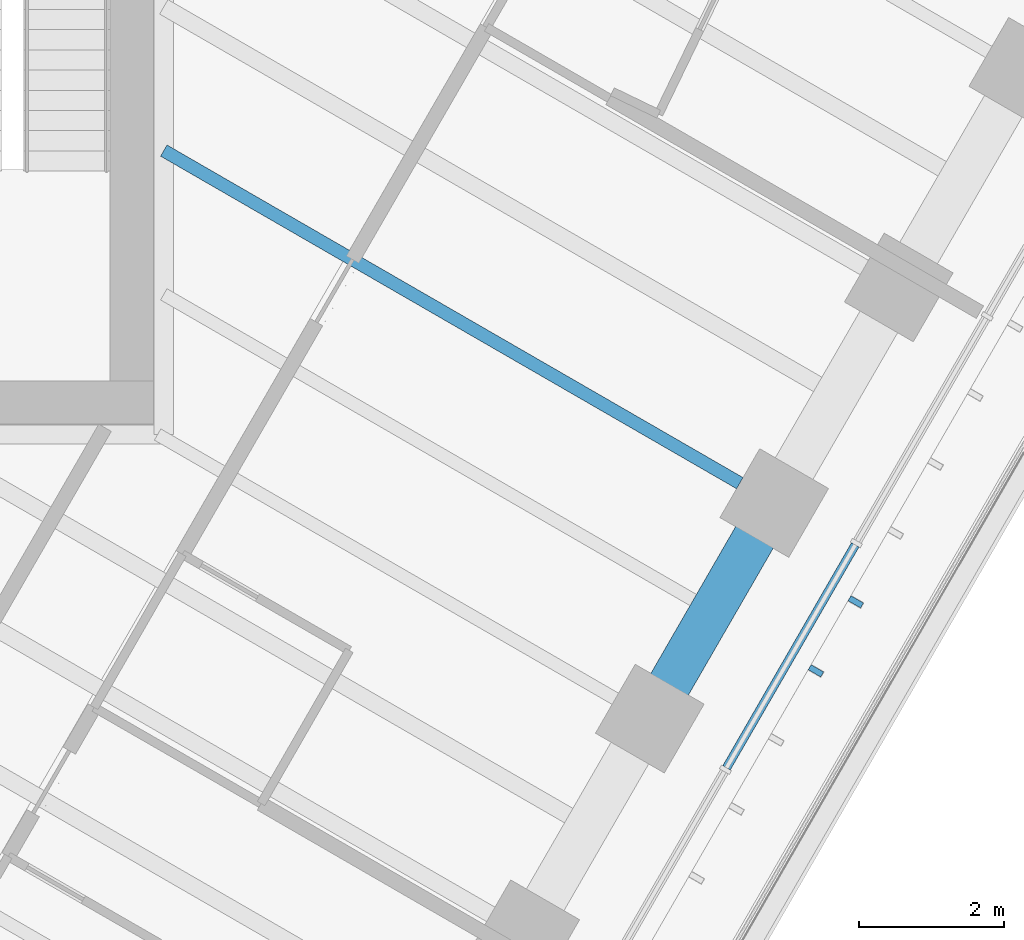
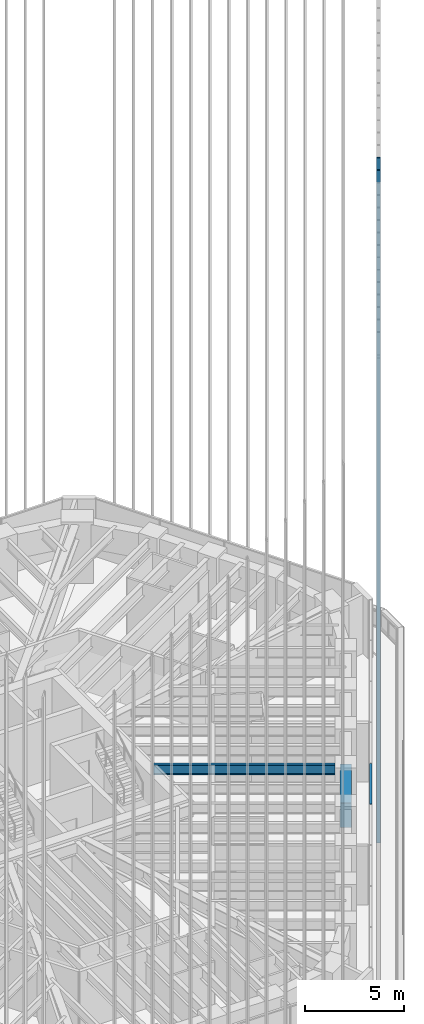
# One storey, part 43 of 127: 3 members, 2 beams, 1 element without a shape of its own.
"""IFC4 building model written with IfcOpenShell, lengths in metres."""

from ifc_helpers import new_model, si_unit, direction, frame, origin, origin_2d, place, context, subcontext, project, spatial, rectangle, i_section, extrude, material, material_profile, profile_set, type_object, element, aggregate, save


model = new_model("IFC4")

# Units and contexts
model_context = context("Model", 3, precision=1e-05, world=origin(), true_north=direction((0.0, 1.0)))
body_context = subcontext(model_context, "Body", "Model", "MODEL_VIEW")
ifc_project = project(units=[si_unit("LENGTHUNIT", "METRE"), si_unit("AREAUNIT", "SQUARE_METRE"), si_unit("VOLUMEUNIT", "CUBIC_METRE"), si_unit("PLANEANGLEUNIT", "RADIAN"), si_unit("MASSUNIT", "GRAM", prefix="KILO")], contexts=[model_context])

# Site, building, storey
site_placement = place(None, origin())
site = spatial("IfcSite", under=ifc_project, at=site_placement, CompositionType="ELEMENT")
building_placement = place(site_placement, origin())
building = spatial("IfcBuilding", under=site, at=building_placement, Name="Sandreach Pilgrim Tower", CompositionType="ELEMENT")
storey_placement = place(building_placement, frame((0.0, 0.0, 257.0)))
storey = spatial("IfcBuildingStorey", under=building, at=storey_placement, Name="L64", CompositionType="ELEMENT", Elevation=257.0)

# Curtain wall, member
ifc_material_1 = material(Name="Aluminium framed curtain wall", Category="aluminium")
curtain_wall_type = type_object("IfcCurtainWallType", Name="Suite tower curtain wall", PredefinedType="NOTDEFINED", material=ifc_material_1)
curtain_wall_placement = place(storey_placement, origin())
curtain_wall = element("IfcCurtainWall", 1, at=curtain_wall_placement, inside=storey, type_object=curtain_wall_type, Name="CW-4 L64 SE", PredefinedType="NOTDEFINED")
ifc_material_2 = material(Name="Aluminium extrusion", Category="aluminium")
ifc_material_profile_1 = material_profile(ifc_material_2, rectangle(XDim=0.1201171875, YDim=0.070068359375, at=origin_2d()), Name="CW-4T 120X70")
ifc_profile_set_1 = profile_set([ifc_material_profile_1], Name="Aluminium extrusion")
member_type_1 = type_object("IfcMemberType", Name="CW-4 transom", PredefinedType="USERDEFINED", material=ifc_profile_set_1)
member_1_placement = place(storey_placement, frame((18.060546875, -8.370849609375, 3.60498046875), z_axis=(-0.499957811549, -0.866049759928, 0.0), x_axis=(0.866049759928, -0.499957811549, 0.0)))
member_1 = element("IfcMember", 2, at=member_1_placement, type_object=member_type_1, Name="CW-4 head transom 5", ObjectType="TRANSOM", PredefinedType="USERDEFINED", context=body_context, shape_type="SweptSolid", body=[
    extrude(rectangle(XDim=0.1201171875, YDim=0.070068359375, at=origin_2d()), origin(), (0.0, 0.0, 1.0), 3.561767578125),
])

# Beams
ifc_material_3 = material(Name="Steel ASTM A992 Grade 50", Category="steel")
ifc_material_profile_2 = material_profile(ifc_material_3, i_section(OverallWidth=0.1787109375, OverallDepth=0.60205078125, WebThickness=0.010986328125, FlangeThickness=0.014892578125, at=origin_2d()), Name="W24X62")
ifc_profile_set_2 = profile_set([ifc_material_profile_2], Name="Steel ASTM A992 Grade 50")
beam_type_1 = type_object("IfcBeamType", Name="Floor beam W24X62", PredefinedType="BEAM", material=ifc_profile_set_2)
beam_1_placement = place(storey_placement, frame((16.4638671875, -7.516357421875, 3.339111328125), z_axis=(-0.866022580836, 0.500004889459, 0.0), x_axis=(-0.500004889459, -0.866022580836, 0.0)))
element("IfcBeam", 3, at=beam_1_placement, inside=storey, type_object=beam_type_1, Name="BM L64 F17", PredefinedType="BEAM", context=body_context, shape_type="SweptSolid", body=[
    extrude(i_section(OverallWidth=0.1787109375, OverallDepth=0.60205078125, WebThickness=0.010986328125, FlangeThickness=0.014892578125, at=origin_2d()), origin(), (0.0, 0.0, 1.0), 9.20361328125),
])
ifc_material_4 = material(Name="Concrete 10000 psi", Category="concrete")
ifc_material_profile_3 = material_profile(ifc_material_4, rectangle(XDim=0.60009765625, YDim=1.5, at=origin_2d()), Name="RC600X1500")
ifc_profile_set_3 = profile_set([ifc_material_profile_3], Name="Concrete 10000 psi")
beam_type_2 = type_object("IfcBeamType", Name="Spandrel beam RC600X1500", PredefinedType="SPANDREL", material=ifc_profile_set_3)
beam_2_placement = place(storey_placement, frame((16.940185546875, -7.79150390625, 2.889892578125), z_axis=(-0.499988291006, -0.866032163869, 0.0), x_axis=(0.866032163869, -0.499988291006, 0.0)))
element("IfcBeam", 4, at=beam_2_placement, inside=storey, type_object=beam_type_2, Name="BM L64 SP17", PredefinedType="SPANDREL", context=body_context, shape_type="SweptSolid", body=[
    extrude(rectangle(XDim=0.60009765625, YDim=1.5, at=origin_2d()), origin(), (0.0, 0.0, 1.0), 3.44482421875),
])

# Member
ifc_material_5 = material(Name="Extruded terracotta on aluminium core", Category="masonry")
ifc_material_profile_4 = material_profile(ifc_material_5, rectangle(XDim=0.080078125, YDim=0.199951171875, at=origin_2d()), Name="TBE 80X200")
ifc_profile_set_4 = profile_set([ifc_material_profile_4], Name="Extruded terracotta on aluminium core")
member_type_2 = type_object("IfcMemberType", Name="Terracotta baguette east", PredefinedType="USERDEFINED", material=ifc_profile_set_4)
member_2_placement = place(storey_placement, frame((18.067626953125, -9.158935546875, 0.0), z_axis=(0.0, 0.0, 1.0), x_axis=(-0.5, -0.866025403784, 0.0)))
member_2 = element("IfcMember", 5, at=member_2_placement, type_object=member_type_2, Name="Baguette Z4 SE14", ObjectType="BAGUETTE", PredefinedType="USERDEFINED", context=body_context, shape_type="SweptSolid", body=[
    extrude(rectangle(XDim=0.080078125, YDim=0.199951171875, at=origin_2d()), origin(), (0.0, 0.0, 1.0), 41.639892578125),
])

member_3_placement = place(storey_placement, frame((17.5166015625, -10.11328125, 0.0), z_axis=(0.0, 0.0, 1.0), x_axis=(-0.5, -0.866025403784, 0.0)))
member_3 = element("IfcMember", 6, at=member_3_placement, type_object=member_type_2, Name="Baguette Z4 SE15", ObjectType="BAGUETTE", PredefinedType="USERDEFINED", context=body_context, shape_type="SweptSolid", body=[
    extrude(rectangle(XDim=0.080078125, YDim=0.199951171875, at=origin_2d()), origin(), (0.0, 0.0, 1.0), 41.639892578125),
])

aggregate(curtain_wall, [member_1, member_2, member_3])

save(model, "model.ifc")
